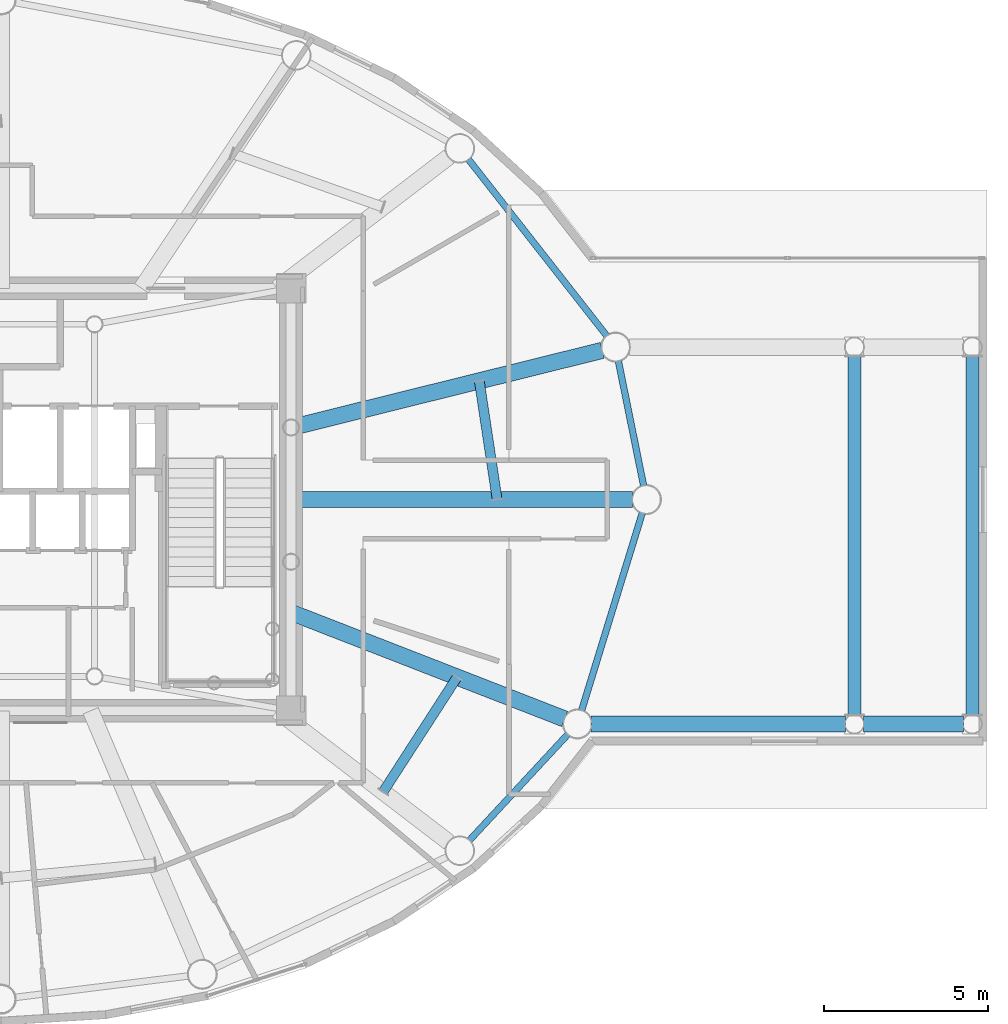
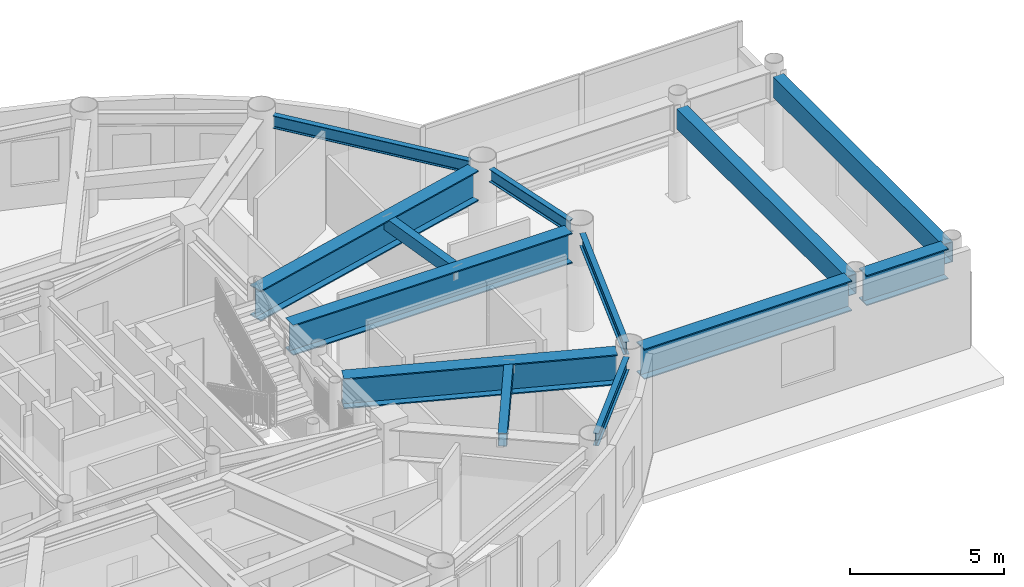
# One storey, part 11 of 26: 13 beams.
"""IFC4 building model written with IfcOpenShell, lengths in metres."""

from ifc_helpers import new_model, si_unit, direction, frame, origin, origin_2d, place, context, subcontext, project, spatial, hollow_rectangle, i_section, extrude, material, material_profile, profile_set, type_object, element, save


model = new_model("IFC4")

# Units and contexts
model_context = context("Model", 3, precision=1e-05, world=origin(), true_north=direction((0.0, 1.0)))
body_context = subcontext(model_context, "Body", "Model", "MODEL_VIEW")
ifc_project = project(units=[si_unit("LENGTHUNIT", "METRE"), si_unit("AREAUNIT", "SQUARE_METRE"), si_unit("VOLUMEUNIT", "CUBIC_METRE"), si_unit("PLANEANGLEUNIT", "RADIAN"), si_unit("MASSUNIT", "GRAM", prefix="KILO")], contexts=[model_context])

# Site, building, storey
site_placement = place(None, origin())
site = spatial("IfcSite", under=ifc_project, at=site_placement, CompositionType="ELEMENT")
building_placement = place(site_placement, origin())
building = spatial("IfcBuilding", under=site, at=building_placement, Name="Linh Dai School and Residence Tower", CompositionType="ELEMENT")
storey_placement = place(building_placement, frame((0.0, 0.0, 346.800048828125)))
storey = spatial("IfcBuildingStorey", under=building, at=storey_placement, Name="L86", CompositionType="ELEMENT", Elevation=346.800048828125)

# Beams
ifc_material = material(Name="Structural Steel S355JR", Category="steel")
ifc_material_profile_1 = material_profile(ifc_material, hollow_rectangle(XDim=0.300048828125, YDim=0.5, WallThickness=0.01611328125, at=origin_2d()), Name="RHS 500x300x16")
ifc_profile_set_1 = profile_set([ifc_material_profile_1], Name="Structural Steel S355JR")
beam_type_1 = type_object("IfcBeamType", Name="BM-BX5", PredefinedType="BEAM", material=ifc_profile_set_1)
beam_1_placement = place(storey_placement, frame((51.142333984375, 27.0048828125, 3.64990234375), z_axis=(-0.149229268392, 0.988802622092, 0.0), x_axis=(-0.988802622092, -0.149229268392, 0.0)))
element("IfcBeam", 1, at=beam_1_placement, inside=storey, type_object=beam_type_1, Name="L86 Secondary Circumferential Floor Beam 01", PredefinedType="BEAM", context=body_context, shape_type="SweptSolid", body=[
    extrude(hollow_rectangle(XDim=0.300048828125, YDim=0.5, WallThickness=0.01611328125, at=origin_2d()), origin(), (0.0, 0.0, 1.0), 3.6533203125),
])
beam_2_placement = place(storey_placement, frame((47.66162109375, 18.075927734375, 3.64990234375), z_axis=(0.542324541187, 0.840169085379, 0.0), x_axis=(-0.840169085379, 0.542324541187, 0.0)))
element("IfcBeam", 2, at=beam_2_placement, inside=storey, type_object=beam_type_1, Name="L86 Secondary Circumferential Floor Beam 08", PredefinedType="BEAM", context=body_context, shape_type="SweptSolid", body=[
    extrude(hollow_rectangle(XDim=0.300048828125, YDim=0.5, WallThickness=0.01611328125, at=origin_2d()), origin(), (0.0, 0.0, 1.0), 4.163330078125),
])
ifc_material_profile_2 = material_profile(ifc_material, hollow_rectangle(XDim=0.39990234375, YDim=0.800048828125, WallThickness=0.02490234375, at=origin_2d()), Name="RHS 800x400x25")
ifc_profile_set_2 = profile_set([ifc_material_profile_2], Name="Structural Steel S355JR")
beam_type_2 = type_object("IfcBeamType", Name="BM-BX8", PredefinedType="BEAM", material=ifc_profile_set_2)
for number, where, z_axis, x_axis, name in (
    (3, (62.050048828125, 20.42236328125, 3.300048828125), (0.0, 1.0, 0.0), (-1.0, 0.0, 0.0), "L86 Sky-Lounge Transverse Edge Girder MID"),
    (4, (65.64990234375, 20.42236328125, 3.300048828125), (0.0, 1.0, 0.0), (-1.0, 0.0, 0.0), "L86 Sky-Lounge Transverse Edge Girder TIP"),
):
    element("IfcBeam", number, at=place(storey_placement, frame(where, z_axis=z_axis, x_axis=x_axis)), inside=storey, type_object=beam_type_2, Name=name, PredefinedType="BEAM", context=body_context, shape_type="SweptSolid", body=[
        extrude(hollow_rectangle(XDim=0.39990234375, YDim=0.800048828125, WallThickness=0.02490234375, at=origin_2d()), origin(), (0.0, 0.0, 1.0), 10.957275390625),
    ])
ifc_material_profile_3 = material_profile(ifc_material, i_section(OverallWidth=0.199951171875, OverallDepth=0.5, WebThickness=0.01025390625, FlangeThickness=0.01611328125, FilletRadius=0.02099609375, at=origin_2d()), Name="IPE 500")
ifc_profile_set_3 = profile_set([ifc_material_profile_3], Name="Structural Steel S355JR")
beam_type_3 = type_object("IfcBeamType", Name="BM-RB50", PredefinedType="BEAM", material=ifc_profile_set_3)
beam_3_placement = place(storey_placement, frame((55.61669921875, 27.41162109375, 3.64990234375), z_axis=(-0.198409502721, 0.980119211744, 0.0), x_axis=(-0.980119211744, -0.198409502721, 0.0)))
element("IfcBeam", 5, at=beam_3_placement, inside=storey, type_object=beam_type_3, Name="L86 Perimeter Elliptical Ring Beam 01", PredefinedType="BEAM", context=body_context, shape_type="SweptSolid", body=[
    extrude(i_section(OverallWidth=0.199951171875, OverallDepth=0.5, WebThickness=0.01025390625, FlangeThickness=0.01611328125, FilletRadius=0.02099609375, at=origin_2d()), origin(), (0.0, 0.0, 1.0), 3.9091796875),
])
beam_4_placement = place(storey_placement, frame((54.498779296875, 31.9853515625, 3.64990234375), z_axis=(-0.616844770958, 0.787084829318, 0.0), x_axis=(-0.787084829318, -0.616844770958, 0.0)))
element("IfcBeam", 6, at=beam_4_placement, inside=storey, type_object=beam_type_3, Name="L86 Perimeter Elliptical Ring Beam 02", PredefinedType="BEAM", context=body_context, shape_type="SweptSolid", body=[
    extrude(i_section(OverallWidth=0.199951171875, OverallDepth=0.5, WebThickness=0.01025390625, FlangeThickness=0.01611328125, FilletRadius=0.02099609375, at=origin_2d()), origin(), (0.0, 0.0, 1.0), 6.869384765625),
])
beam_5_placement = place(storey_placement, frame((50.2880859375, 16.5849609375, 3.64990234375), z_axis=(0.680339330162, 0.732897261446, 0.0), x_axis=(-0.732897261446, 0.680339330162, 0.0)))
element("IfcBeam", 7, at=beam_5_placement, inside=storey, type_object=beam_type_3, Name="L86 Perimeter Elliptical Ring Beam 15", PredefinedType="BEAM", context=body_context, shape_type="SweptSolid", body=[
    extrude(i_section(OverallWidth=0.199951171875, OverallDepth=0.5, WebThickness=0.01025390625, FlangeThickness=0.01611328125, FilletRadius=0.02099609375, at=origin_2d()), origin(), (0.0, 0.0, 1.0), 4.440673828125),
])
beam_6_placement = place(storey_placement, frame((53.718505859375, 20.548828125, 3.64990234375), z_axis=(0.293606003102, 0.955926521728, 0.0), x_axis=(-0.955926521728, 0.293606003102, 0.0)))
element("IfcBeam", 8, at=beam_6_placement, inside=storey, type_object=beam_type_3, Name="L86 Perimeter Elliptical Ring Beam 16", PredefinedType="BEAM", context=body_context, shape_type="SweptSolid", body=[
    extrude(i_section(OverallWidth=0.199951171875, OverallDepth=0.5, WebThickness=0.01025390625, FlangeThickness=0.01611328125, FilletRadius=0.02099609375, at=origin_2d()), origin(), (0.0, 0.0, 1.0), 6.32861328125),
])
ifc_material_profile_4 = material_profile(ifc_material, i_section(OverallWidth=0.5, OverallDepth=1.199951171875, WebThickness=0.02392578125, FlangeThickness=0.044921875, at=origin_2d()), Name="PG 1200x500x24x45")
ifc_profile_set_4 = profile_set([ifc_material_profile_4], Name="Structural Steel S355JR")
beam_type_4 = type_object("IfcBeamType", Name="BM-TG12", PredefinedType="BEAM", material=ifc_profile_set_4)
beam_7_placement = place(storey_placement, frame((44.85009765625, 27.0, 3.300048828125), z_axis=(1.0, 0.0, 0.0), x_axis=(0.0, 1.0, 0.0)))
element("IfcBeam", 9, at=beam_7_placement, inside=storey, type_object=beam_type_4, Name="L86 Primary Radial Floor Girder 01", PredefinedType="BEAM", context=body_context, shape_type="SweptSolid", body=[
    extrude(i_section(OverallWidth=0.5, OverallDepth=1.199951171875, WebThickness=0.02392578125, FlangeThickness=0.044921875, at=origin_2d()), origin(), (0.0, 0.0, 1.0), 10.429931640625),
])
beam_8_placement = place(storey_placement, frame((44.85009765625, 29.196044921875, 3.300048828125), z_axis=(0.970563583495, 0.24084503398, 0.0), x_axis=(-0.24084503398, 0.970563583495, 0.0)))
element("IfcBeam", 10, at=beam_8_placement, inside=storey, type_object=beam_type_4, Name="L86 Primary Radial Floor Girder 02", PredefinedType="BEAM", context=body_context, shape_type="SweptSolid", body=[
    extrude(i_section(OverallWidth=0.5, OverallDepth=1.199951171875, WebThickness=0.02392578125, FlangeThickness=0.044921875, at=origin_2d()), origin(), (0.0, 0.0, 1.0), 9.7880859375),
])
beam_9_placement = place(storey_placement, frame((44.85009765625, 23.55322265625, 3.300048828125), z_axis=(0.931822607816, -0.362914077384, 0.0), x_axis=(0.362914077384, 0.931822607816, 0.0)))
element("IfcBeam", 11, at=beam_9_placement, inside=storey, type_object=beam_type_4, Name="L86 Primary Radial Floor Girder 16", PredefinedType="BEAM", context=body_context, shape_type="SweptSolid", body=[
    extrude(i_section(OverallWidth=0.5, OverallDepth=1.199951171875, WebThickness=0.02392578125, FlangeThickness=0.044921875, at=origin_2d()), origin(), (0.0, 0.0, 1.0), 8.964599609375),
])
beam_10_placement = place(storey_placement, frame((54.01513671875, 20.1474609375, 3.300048828125), z_axis=(1.0, 0.0, 0.0), x_axis=(0.0, 1.0, 0.0)))
element("IfcBeam", 12, at=beam_10_placement, inside=storey, type_object=beam_type_4, Name="L86 Sky-Lounge Vierendeel Inner Chord S", PredefinedType="BEAM", context=body_context, shape_type="SweptSolid", body=[
    extrude(i_section(OverallWidth=0.5, OverallDepth=1.199951171875, WebThickness=0.02392578125, FlangeThickness=0.044921875, at=origin_2d()), origin(), (0.0, 0.0, 1.0), 7.759765625),
])
beam_11_placement = place(storey_placement, frame((62.324951171875, 20.1474609375, 3.300048828125), z_axis=(1.0, 0.0, 0.0), x_axis=(0.0, 1.0, 0.0)))
element("IfcBeam", 13, at=beam_11_placement, inside=storey, type_object=beam_type_4, Name="L86 Sky-Lounge Vierendeel Outer Chord S", PredefinedType="BEAM", context=body_context, shape_type="SweptSolid", body=[
    extrude(i_section(OverallWidth=0.5, OverallDepth=1.199951171875, WebThickness=0.02392578125, FlangeThickness=0.044921875, at=origin_2d()), origin(), (0.0, 0.0, 1.0), 3.050048828125),
])

save(model, "model.ifc")
